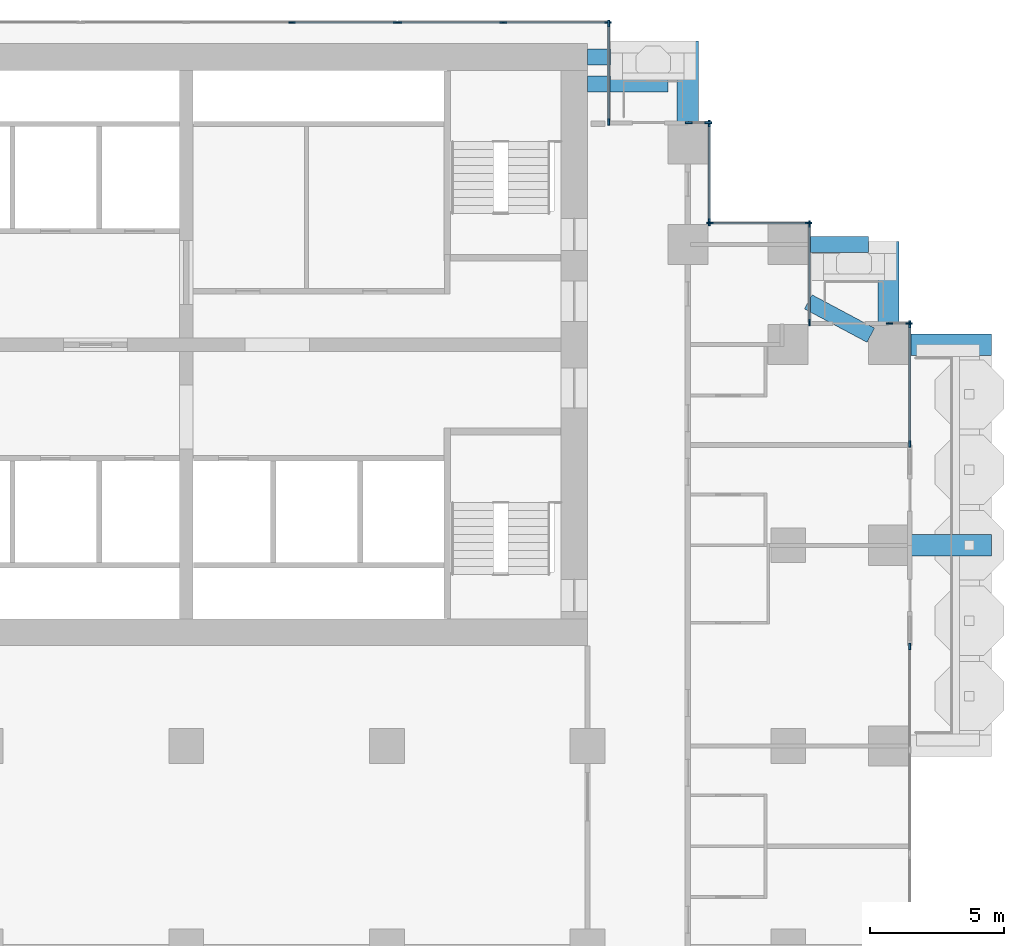
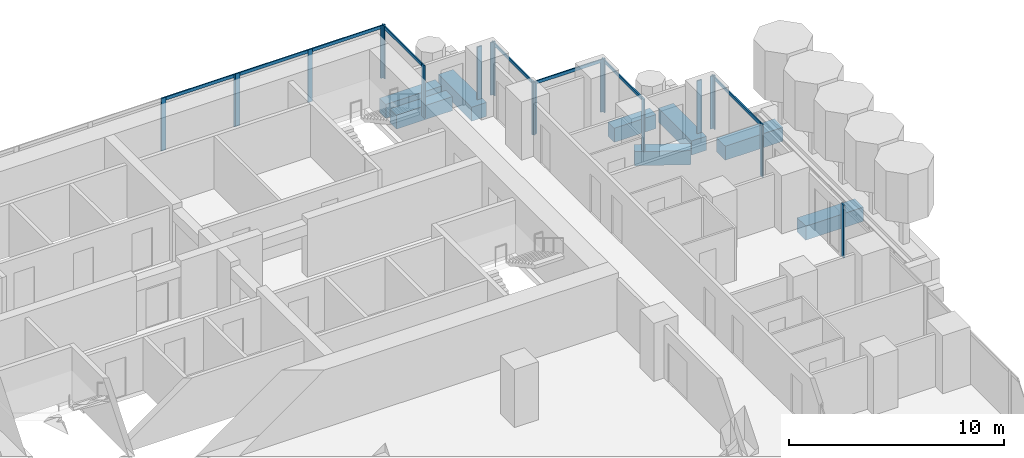
# One storey, part 6 of 19: 28 members, 8 beams, 10 elements without a shape of their own.
"""IFC4 building model written with IfcOpenShell, lengths in metres."""

from ifc_helpers import new_model, si_unit, direction, frame, origin, origin_2d, place, context, subcontext, project, spatial, rectangle, extrude, material, material_profile, profile_set, type_object, element, aggregate, save


model = new_model("IFC4")

# Units and contexts
model_context = context("Model", 3, precision=1e-05, world=origin(), true_north=direction((0.0, 1.0)))
body_context = subcontext(model_context, "Body", "Model", "MODEL_VIEW")
ifc_project = project(units=[si_unit("LENGTHUNIT", "METRE"), si_unit("AREAUNIT", "SQUARE_METRE"), si_unit("VOLUMEUNIT", "CUBIC_METRE"), si_unit("PLANEANGLEUNIT", "RADIAN"), si_unit("MASSUNIT", "GRAM", prefix="KILO")], contexts=[model_context])

# Site, building, storey
site_placement = place(None, origin())
site = spatial("IfcSite", under=ifc_project, at=site_placement, CompositionType="ELEMENT")
building_placement = place(site_placement, origin())
building = spatial("IfcBuilding", under=site, at=building_placement, Name="Pilkhan Gate Tower", CompositionType="ELEMENT")
storey_placement = place(building_placement, frame((0.0, 0.0, 79.10009765625)))
storey = spatial("IfcBuildingStorey", under=building, at=storey_placement, Name="L18", CompositionType="ELEMENT", Elevation=79.10009765625)

# Beams
ifc_material_1 = material(Name="Concrete C50/60", Category="concrete")
ifc_material_profile_1 = material_profile(ifc_material_1, rectangle(XDim=0.60009765625, YDim=0.800048828125, at=origin_2d()), Name="RC 600x800")
ifc_profile_set_1 = profile_set([ifc_material_profile_1], Name="Concrete C50/60")
beam_type_1 = type_object("IfcBeamType", Name="Cantilever beam CB1 RC 600x800 C50/60", PredefinedType="BEAM", material=ifc_profile_set_1)
for number, where, z_axis, x_axis, name in (
    (1, (90.0, 93.25, -0.7001953125), (1.0, 0.0, 0.0), (0.0, 1.0, 0.0), "Balcony beam NE.2 L18"),
    (2, (90.0, 92.25, -0.7001953125), (1.0, 0.0, 0.0), (0.0, 1.0, 0.0), "Balcony beam NE.3 L18"),
):
    element("IfcBeam", number, at=place(storey_placement, frame(where, z_axis=z_axis, x_axis=x_axis)), inside=storey, type_object=beam_type_1, Name=name, PredefinedType="BEAM", context=body_context, shape_type="SweptSolid", body=[
        extrude(rectangle(XDim=0.60009765625, YDim=0.800048828125, at=origin_2d()), origin(), (0.0, 0.0, 1.0), 3.0),
    ])
beam_1_placement = place(storey_placement, frame((98.25, 86.25, -0.7001953125), z_axis=(1.0, 0.0, 0.0), x_axis=(0.0, 1.0, 0.0)))
element("IfcBeam", 3, at=beam_1_placement, inside=storey, type_object=beam_type_1, Name="Balcony beam NE2.2 L18", PredefinedType="BEAM", context=body_context, shape_type="SweptSolid", body=[
    extrude(rectangle(XDim=0.60009765625, YDim=0.800048828125, at=origin_2d()), origin(), (0.0, 0.0, 1.0), 2.25),
])
beam_2_placement = place(storey_placement, frame((100.588134765625, 82.85302734375, -0.7001953125), z_axis=(-0.882342739565, 0.470607362817, 0.0), x_axis=(-0.470607362817, -0.882342739565, 0.0)))
element("IfcBeam", 4, at=beam_2_placement, inside=storey, type_object=beam_type_1, Name="Balcony beam NE2.3 L18", PredefinedType="BEAM", context=body_context, shape_type="SweptSolid", body=[
    extrude(rectangle(XDim=0.60009765625, YDim=0.800048828125, at=origin_2d()), origin(), (0.0, 0.0, 1.0), 2.64990234375),
])
ifc_material_profile_2 = material_profile(ifc_material_1, rectangle(XDim=0.800048828125, YDim=0.800048828125, at=origin_2d()), Name="RC 800x800")
ifc_profile_set_2 = profile_set([ifc_material_profile_2], Name="Concrete C50/60")
beam_type_2 = type_object("IfcBeamType", Name="Cantilever beam CB2 RC 800x800 C50/60", PredefinedType="BEAM", material=ifc_profile_set_2)
for number, where, z_axis, x_axis, name in (
    (5, (102.0, 75.0, -0.7001953125), (1.0, 0.0, 0.0), (0.0, 1.0, 0.0), "Balcony beam E.2 L18"),
    (6, (102.0, 82.5, -0.7001953125), (1.0, 0.0, 0.0), (0.0, 1.0, 0.0), "Balcony beam E.3 L18"),
    (7, (93.75, 90.75, -0.7001953125), (0.0, 1.0, 0.0), (-1.0, 0.0, 0.0), "Balcony beam NE.1 L18"),
    (8, (101.25, 83.25, -0.7001953125), (0.0, 1.0, 0.0), (-1.0, 0.0, 0.0), "Balcony beam NE2.1 L18"),
):
    element("IfcBeam", number, at=place(storey_placement, frame(where, z_axis=z_axis, x_axis=x_axis)), inside=storey, type_object=beam_type_2, Name=name, PredefinedType="BEAM", context=body_context, shape_type="SweptSolid", body=[
        extrude(rectangle(XDim=0.800048828125, YDim=0.800048828125, at=origin_2d()), origin(), (0.0, 0.0, 1.0), 3.10009765625),
    ])

# Curtain wall, member
ifc_material_2 = material(Name="Pale anodised aluminium, clear low-iron double glazing", Category="aluminium")
curtain_wall_type = type_object("IfcCurtainWallType", Name="Hotel unitised curtain wall CW-H", PredefinedType="USERDEFINED", material=ifc_material_2)
curtain_wall_1_placement = place(storey_placement, origin())
curtain_wall_1 = element("IfcCurtainWall", 9, at=curtain_wall_1_placement, inside=storey, type_object=curtain_wall_type, Name="Hotel unitised curtain wall CW-H L18 E", ObjectType="UNITISED CURTAIN WALL", PredefinedType="USERDEFINED")
ifc_material_3 = material(Name="Pale anodised aluminium", Category="aluminium")
ifc_material_profile_3 = material_profile(ifc_material_3, rectangle(XDim=0.06494140625, YDim=0.25, at=origin_2d()), Name="Mullion 250x65")
ifc_profile_set_3 = profile_set([ifc_material_profile_3], Name="Pale anodised aluminium")
member_type_1 = type_object("IfcMemberType", Name="Mullion CW-H 250x65", PredefinedType="MULLION", material=ifc_profile_set_3)
member_1_placement = place(storey_placement, frame((102.044921875, 71.217529296875, 0.0), z_axis=(0.0, 0.0, 1.0), x_axis=(-1.0, 0.0, 0.0)))
member_1 = element("IfcMember", 10, at=member_1_placement, type_object=member_type_1, Name="CW-H mullion 3", PredefinedType="MULLION", context=body_context, shape_type="SweptSolid", body=[
    extrude(rectangle(XDim=0.06494140625, YDim=0.25, at=origin_2d()), origin(), (0.0, 0.0, 1.0), 3.0),
])
aggregate(curtain_wall_1, [member_1])

# Curtain wall, members
curtain_wall_2_placement = place(storey_placement, origin())
curtain_wall_2 = element("IfcCurtainWall", 11, at=curtain_wall_2_placement, inside=storey, type_object=curtain_wall_type, Name="Hotel unitised curtain wall CW-H L18 E", ObjectType="UNITISED CURTAIN WALL", PredefinedType="USERDEFINED")
member_2_placement = place(storey_placement, frame((102.044921875, 78.782470703125, 0.0), z_axis=(0.0, 0.0, 1.0), x_axis=(-1.0, 0.0, 0.0)))
member_2 = element("IfcMember", 12, at=member_2_placement, type_object=member_type_1, Name="CW-H mullion 1", PredefinedType="MULLION", context=body_context, shape_type="SweptSolid", body=[
    extrude(rectangle(XDim=0.06494140625, YDim=0.25, at=origin_2d()), origin(), (0.0, 0.0, 1.0), 3.0),
])
member_3_placement = place(storey_placement, frame((102.044921875, 83.262451171875, 0.0), z_axis=(0.0, 0.0, 1.0), x_axis=(-1.0, 0.0, 0.0)))
member_3 = element("IfcMember", 13, at=member_3_placement, type_object=member_type_1, Name="CW-H mullion 2", PredefinedType="MULLION", context=body_context, shape_type="SweptSolid", body=[
    extrude(rectangle(XDim=0.06494140625, YDim=0.25, at=origin_2d()), origin(), (0.0, 0.0, 1.0), 3.0),
])

curtain_wall_3_placement = place(storey_placement, origin())
curtain_wall_3 = element("IfcCurtainWall", 14, at=curtain_wall_3_placement, inside=storey, type_object=curtain_wall_type, Name="Hotel unitised curtain wall CW-H L18 N", ObjectType="UNITISED CURTAIN WALL", PredefinedType="USERDEFINED")
member_4_placement = place(storey_placement, frame((101.282470703125, 83.294921875, 0.0), z_axis=(0.0, 0.0, 1.0), x_axis=(0.0, 1.0, 0.0)))
member_4 = element("IfcMember", 15, at=member_4_placement, type_object=member_type_1, Name="CW-H mullion 1", PredefinedType="MULLION", context=body_context, shape_type="SweptSolid", body=[
    extrude(rectangle(XDim=0.06494140625, YDim=0.25, at=origin_2d()), origin(), (0.0, 0.0, 1.0), 3.0),
])
member_5_placement = place(storey_placement, frame((102.012451171875, 83.294921875, 0.0), z_axis=(0.0, 0.0, 1.0), x_axis=(0.0, 1.0, 0.0)))
member_5 = element("IfcMember", 16, at=member_5_placement, type_object=member_type_1, Name="CW-H mullion 2", PredefinedType="MULLION", context=body_context, shape_type="SweptSolid", body=[
    extrude(rectangle(XDim=0.06494140625, YDim=0.25, at=origin_2d()), origin(), (0.0, 0.0, 1.0), 3.0),
])
aggregate(curtain_wall_3, [member_4, member_5])

curtain_wall_4_placement = place(storey_placement, origin())
curtain_wall_4 = element("IfcCurtainWall", 17, at=curtain_wall_4_placement, inside=storey, type_object=curtain_wall_type, Name="Hotel unitised curtain wall CW-H L18 E", ObjectType="UNITISED CURTAIN WALL", PredefinedType="USERDEFINED")
member_6_placement = place(storey_placement, frame((98.294921875, 83.327392578125, 0.0), z_axis=(0.0, 0.0, 1.0), x_axis=(-1.0, 0.0, 0.0)))
member_6 = element("IfcMember", 18, at=member_6_placement, type_object=member_type_1, Name="CW-H mullion 1", PredefinedType="MULLION", context=body_context, shape_type="SweptSolid", body=[
    extrude(rectangle(XDim=0.06494140625, YDim=0.25, at=origin_2d()), origin(), (0.0, 0.0, 1.0), 3.0),
])
member_7_placement = place(storey_placement, frame((98.294921875, 87.012451171875, 0.0), z_axis=(0.0, 0.0, 1.0), x_axis=(-1.0, 0.0, 0.0)))
member_7 = element("IfcMember", 19, at=member_7_placement, type_object=member_type_1, Name="CW-H mullion 2", PredefinedType="MULLION", context=body_context, shape_type="SweptSolid", body=[
    extrude(rectangle(XDim=0.06494140625, YDim=0.25, at=origin_2d()), origin(), (0.0, 0.0, 1.0), 3.0),
])

curtain_wall_5_placement = place(storey_placement, origin())
curtain_wall_5 = element("IfcCurtainWall", 20, at=curtain_wall_5_placement, inside=storey, type_object=curtain_wall_type, Name="Hotel unitised curtain wall CW-H L18 N", ObjectType="UNITISED CURTAIN WALL", PredefinedType="USERDEFINED")
member_8_placement = place(storey_placement, frame((94.577392578125, 87.044921875, 0.0), z_axis=(0.0, 0.0, 1.0), x_axis=(0.0, 1.0, 0.0)))
member_8 = element("IfcMember", 21, at=member_8_placement, type_object=member_type_1, Name="CW-H mullion 1", PredefinedType="MULLION", context=body_context, shape_type="SweptSolid", body=[
    extrude(rectangle(XDim=0.06494140625, YDim=0.25, at=origin_2d()), origin(), (0.0, 0.0, 1.0), 3.0),
])
member_9_placement = place(storey_placement, frame((98.262451171875, 87.044921875, 0.0), z_axis=(0.0, 0.0, 1.0), x_axis=(0.0, 1.0, 0.0)))
member_9 = element("IfcMember", 22, at=member_9_placement, type_object=member_type_1, Name="CW-H mullion 2", PredefinedType="MULLION", context=body_context, shape_type="SweptSolid", body=[
    extrude(rectangle(XDim=0.06494140625, YDim=0.25, at=origin_2d()), origin(), (0.0, 0.0, 1.0), 3.0),
])

curtain_wall_6_placement = place(storey_placement, origin())
curtain_wall_6 = element("IfcCurtainWall", 23, at=curtain_wall_6_placement, inside=storey, type_object=curtain_wall_type, Name="Hotel unitised curtain wall CW-H L18 E", ObjectType="UNITISED CURTAIN WALL", PredefinedType="USERDEFINED")
member_10_placement = place(storey_placement, frame((94.544921875, 87.077392578125, 0.0), z_axis=(0.0, 0.0, 1.0), x_axis=(-1.0, 0.0, 0.0)))
member_10 = element("IfcMember", 24, at=member_10_placement, type_object=member_type_1, Name="CW-H mullion 1", PredefinedType="MULLION", context=body_context, shape_type="SweptSolid", body=[
    extrude(rectangle(XDim=0.06494140625, YDim=0.25, at=origin_2d()), origin(), (0.0, 0.0, 1.0), 3.0),
])
member_11_placement = place(storey_placement, frame((94.544921875, 90.762451171875, 0.0), z_axis=(0.0, 0.0, 1.0), x_axis=(-1.0, 0.0, 0.0)))
member_11 = element("IfcMember", 25, at=member_11_placement, type_object=member_type_1, Name="CW-H mullion 2", PredefinedType="MULLION", context=body_context, shape_type="SweptSolid", body=[
    extrude(rectangle(XDim=0.06494140625, YDim=0.25, at=origin_2d()), origin(), (0.0, 0.0, 1.0), 3.0),
])

curtain_wall_7_placement = place(storey_placement, origin())
curtain_wall_7 = element("IfcCurtainWall", 26, at=curtain_wall_7_placement, inside=storey, type_object=curtain_wall_type, Name="Hotel unitised curtain wall CW-H L18 N", ObjectType="UNITISED CURTAIN WALL", PredefinedType="USERDEFINED")
member_12_placement = place(storey_placement, frame((93.782470703125, 90.794921875, 0.0), z_axis=(0.0, 0.0, 1.0), x_axis=(0.0, 1.0, 0.0)))
member_12 = element("IfcMember", 27, at=member_12_placement, type_object=member_type_1, Name="CW-H mullion 1", PredefinedType="MULLION", context=body_context, shape_type="SweptSolid", body=[
    extrude(rectangle(XDim=0.06494140625, YDim=0.25, at=origin_2d()), origin(), (0.0, 0.0, 1.0), 3.0),
])
member_13_placement = place(storey_placement, frame((94.512451171875, 90.794921875, 0.0), z_axis=(0.0, 0.0, 1.0), x_axis=(0.0, 1.0, 0.0)))
member_13 = element("IfcMember", 28, at=member_13_placement, type_object=member_type_1, Name="CW-H mullion 2", PredefinedType="MULLION", context=body_context, shape_type="SweptSolid", body=[
    extrude(rectangle(XDim=0.06494140625, YDim=0.25, at=origin_2d()), origin(), (0.0, 0.0, 1.0), 3.0),
])
aggregate(curtain_wall_7, [member_12, member_13])

curtain_wall_8_placement = place(storey_placement, origin())
curtain_wall_8 = element("IfcCurtainWall", 29, at=curtain_wall_8_placement, inside=storey, type_object=curtain_wall_type, Name="Hotel unitised curtain wall CW-H L18 E", ObjectType="UNITISED CURTAIN WALL", PredefinedType="USERDEFINED")
member_14_placement = place(storey_placement, frame((90.794921875, 90.827392578125, 0.0), z_axis=(0.0, 0.0, 1.0), x_axis=(-1.0, 0.0, 0.0)))
member_14 = element("IfcMember", 30, at=member_14_placement, type_object=member_type_1, Name="CW-H mullion 1", PredefinedType="MULLION", context=body_context, shape_type="SweptSolid", body=[
    extrude(rectangle(XDim=0.06494140625, YDim=0.25, at=origin_2d()), origin(), (0.0, 0.0, 1.0), 3.0),
])
member_15_placement = place(storey_placement, frame((90.794921875, 94.512451171875, 0.0), z_axis=(0.0, 0.0, 1.0), x_axis=(-1.0, 0.0, 0.0)))
member_15 = element("IfcMember", 31, at=member_15_placement, type_object=member_type_1, Name="CW-H mullion 2", PredefinedType="MULLION", context=body_context, shape_type="SweptSolid", body=[
    extrude(rectangle(XDim=0.06494140625, YDim=0.25, at=origin_2d()), origin(), (0.0, 0.0, 1.0), 3.0),
])

curtain_wall_9_placement = place(storey_placement, origin())
curtain_wall_9 = element("IfcCurtainWall", 32, at=curtain_wall_9_placement, inside=storey, type_object=curtain_wall_type, Name="Hotel unitised curtain wall CW-H L18 N", ObjectType="UNITISED CURTAIN WALL", PredefinedType="USERDEFINED")
member_16_placement = place(storey_placement, frame((78.94873046875, 94.544921875, 0.0), z_axis=(0.0, 0.0, 1.0), x_axis=(0.0, 1.0, 0.0)))
member_16 = element("IfcMember", 33, at=member_16_placement, type_object=member_type_1, Name="CW-H mullion 3", PredefinedType="MULLION", context=body_context, shape_type="SweptSolid", body=[
    extrude(rectangle(XDim=0.06494140625, YDim=0.25, at=origin_2d()), origin(), (0.0, 0.0, 1.0), 3.0),
])
member_17_placement = place(storey_placement, frame((82.864990234375, 94.544921875, 0.0), z_axis=(0.0, 0.0, 1.0), x_axis=(0.0, 1.0, 0.0)))
member_17 = element("IfcMember", 34, at=member_17_placement, type_object=member_type_1, Name="CW-H mullion 4", PredefinedType="MULLION", context=body_context, shape_type="SweptSolid", body=[
    extrude(rectangle(XDim=0.06494140625, YDim=0.25, at=origin_2d()), origin(), (0.0, 0.0, 1.0), 3.0),
])

curtain_wall_10_placement = place(storey_placement, origin())
curtain_wall_10 = element("IfcCurtainWall", 35, at=curtain_wall_10_placement, inside=storey, type_object=curtain_wall_type, Name="Hotel unitised curtain wall CW-H L18 N", ObjectType="UNITISED CURTAIN WALL", PredefinedType="USERDEFINED")
member_18_placement = place(storey_placement, frame((82.929931640625, 94.544921875, 0.0), z_axis=(0.0, 0.0, 1.0), x_axis=(0.0, 1.0, 0.0)))
member_18 = element("IfcMember", 36, at=member_18_placement, type_object=member_type_1, Name="CW-H mullion 1", PredefinedType="MULLION", context=body_context, shape_type="SweptSolid", body=[
    extrude(rectangle(XDim=0.06494140625, YDim=0.25, at=origin_2d()), origin(), (0.0, 0.0, 1.0), 3.0),
])
member_19_placement = place(storey_placement, frame((86.84619140625, 94.544921875, 0.0), z_axis=(0.0, 0.0, 1.0), x_axis=(0.0, 1.0, 0.0)))
member_19 = element("IfcMember", 37, at=member_19_placement, type_object=member_type_1, Name="CW-H mullion 2", PredefinedType="MULLION", context=body_context, shape_type="SweptSolid", body=[
    extrude(rectangle(XDim=0.06494140625, YDim=0.25, at=origin_2d()), origin(), (0.0, 0.0, 1.0), 3.0),
])
member_20_placement = place(storey_placement, frame((90.762451171875, 94.544921875, 0.0), z_axis=(0.0, 0.0, 1.0), x_axis=(0.0, 1.0, 0.0)))
member_20 = element("IfcMember", 38, at=member_20_placement, type_object=member_type_1, Name="CW-H mullion 3", PredefinedType="MULLION", context=body_context, shape_type="SweptSolid", body=[
    extrude(rectangle(XDim=0.06494140625, YDim=0.25, at=origin_2d()), origin(), (0.0, 0.0, 1.0), 3.0),
])

# Member
ifc_material_profile_4 = material_profile(ifc_material_3, rectangle(XDim=0.06494140625, YDim=0.179931640625, at=origin_2d()), Name="Transom 180x65")
ifc_profile_set_4 = profile_set([ifc_material_profile_4], Name="Pale anodised aluminium")
member_type_2 = type_object("IfcMemberType", Name="Transom CW-H 180x65", PredefinedType="USERDEFINED", material=ifc_profile_set_4)
member_21_placement = place(storey_placement, frame((102.044921875, 78.81494140625, 2.909912109375), z_axis=(0.0, 1.0, 0.0), x_axis=(-1.0, 0.0, 0.0)))
member_21 = element("IfcMember", 39, at=member_21_placement, type_object=member_type_2, Name="CW-H transom 1", ObjectType="TRANSOM", PredefinedType="USERDEFINED", context=body_context, shape_type="SweptSolid", body=[
    extrude(rectangle(XDim=0.06494140625, YDim=0.179931640625, at=origin_2d()), origin(), (0.0, 0.0, 1.0), 4.4150390625),
])

aggregate(curtain_wall_2, [member_2, member_3, member_21])

member_22_placement = place(storey_placement, frame((98.294921875, 83.360107421875, 2.909912109375), z_axis=(0.0, 1.0, 0.0), x_axis=(-1.0, 0.0, 0.0)))
member_22 = element("IfcMember", 40, at=member_22_placement, type_object=member_type_2, Name="CW-H transom 1", ObjectType="TRANSOM", PredefinedType="USERDEFINED", context=body_context, shape_type="SweptSolid", body=[
    extrude(rectangle(XDim=0.06494140625, YDim=0.179931640625, at=origin_2d()), origin(), (0.0, 0.0, 1.0), 3.619873046875),
])

aggregate(curtain_wall_4, [member_6, member_7, member_22])

member_23_placement = place(storey_placement, frame((94.610107421875, 87.044921875, 2.909912109375), z_axis=(1.0, 0.0, 0.0), x_axis=(0.0, 1.0, 0.0)))
member_23 = element("IfcMember", 41, at=member_23_placement, type_object=member_type_2, Name="CW-H transom 1", ObjectType="TRANSOM", PredefinedType="USERDEFINED", context=body_context, shape_type="SweptSolid", body=[
    extrude(rectangle(XDim=0.06494140625, YDim=0.179931640625, at=origin_2d()), origin(), (0.0, 0.0, 1.0), 3.619873046875),
])

aggregate(curtain_wall_5, [member_8, member_9, member_23])

member_24_placement = place(storey_placement, frame((94.544921875, 87.110107421875, 2.909912109375), z_axis=(0.0, 1.0, 0.0), x_axis=(-1.0, 0.0, 0.0)))
member_24 = element("IfcMember", 42, at=member_24_placement, type_object=member_type_2, Name="CW-H transom 1", ObjectType="TRANSOM", PredefinedType="USERDEFINED", context=body_context, shape_type="SweptSolid", body=[
    extrude(rectangle(XDim=0.06494140625, YDim=0.179931640625, at=origin_2d()), origin(), (0.0, 0.0, 1.0), 3.619873046875),
])

aggregate(curtain_wall_6, [member_10, member_11, member_24])

member_25_placement = place(storey_placement, frame((90.794921875, 90.860107421875, 2.909912109375), z_axis=(0.0, 1.0, 0.0), x_axis=(-1.0, 0.0, 0.0)))
member_25 = element("IfcMember", 43, at=member_25_placement, type_object=member_type_2, Name="CW-H transom 1", ObjectType="TRANSOM", PredefinedType="USERDEFINED", context=body_context, shape_type="SweptSolid", body=[
    extrude(rectangle(XDim=0.06494140625, YDim=0.179931640625, at=origin_2d()), origin(), (0.0, 0.0, 1.0), 3.619873046875),
])

aggregate(curtain_wall_8, [member_14, member_15, member_25])

member_26_placement = place(storey_placement, frame((78.981201171875, 94.544921875, 2.909912109375), z_axis=(1.0, 0.0, 0.0), x_axis=(0.0, 1.0, 0.0)))
member_26 = element("IfcMember", 44, at=member_26_placement, type_object=member_type_2, Name="CW-H transom 3", ObjectType="TRANSOM", PredefinedType="USERDEFINED", context=body_context, shape_type="SweptSolid", body=[
    extrude(rectangle(XDim=0.06494140625, YDim=0.179931640625, at=origin_2d()), origin(), (0.0, 0.0, 1.0), 3.851318359375),
])

aggregate(curtain_wall_9, [member_16, member_17, member_26])

member_27_placement = place(storey_placement, frame((82.96240234375, 94.544921875, 2.909912109375), z_axis=(1.0, 0.0, 0.0), x_axis=(0.0, 1.0, 0.0)))
member_27 = element("IfcMember", 45, at=member_27_placement, type_object=member_type_2, Name="CW-H transom 1", ObjectType="TRANSOM", PredefinedType="USERDEFINED", context=body_context, shape_type="SweptSolid", body=[
    extrude(rectangle(XDim=0.06494140625, YDim=0.179931640625, at=origin_2d()), origin(), (0.0, 0.0, 1.0), 3.851318359375),
])

member_28_placement = place(storey_placement, frame((86.878662109375, 94.544921875, 2.909912109375), z_axis=(1.0, 0.0, 0.0), x_axis=(0.0, 1.0, 0.0)))
member_28 = element("IfcMember", 46, at=member_28_placement, type_object=member_type_2, Name="CW-H transom 2", ObjectType="TRANSOM", PredefinedType="USERDEFINED", context=body_context, shape_type="SweptSolid", body=[
    extrude(rectangle(XDim=0.06494140625, YDim=0.179931640625, at=origin_2d()), origin(), (0.0, 0.0, 1.0), 3.851318359375),
])

aggregate(curtain_wall_10, [member_18, member_19, member_20, member_27, member_28])

save(model, "model.ifc")
